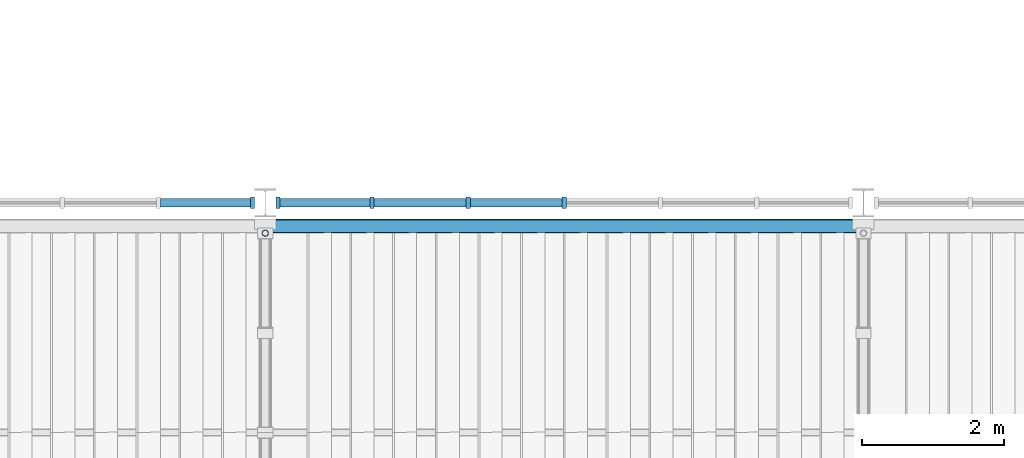
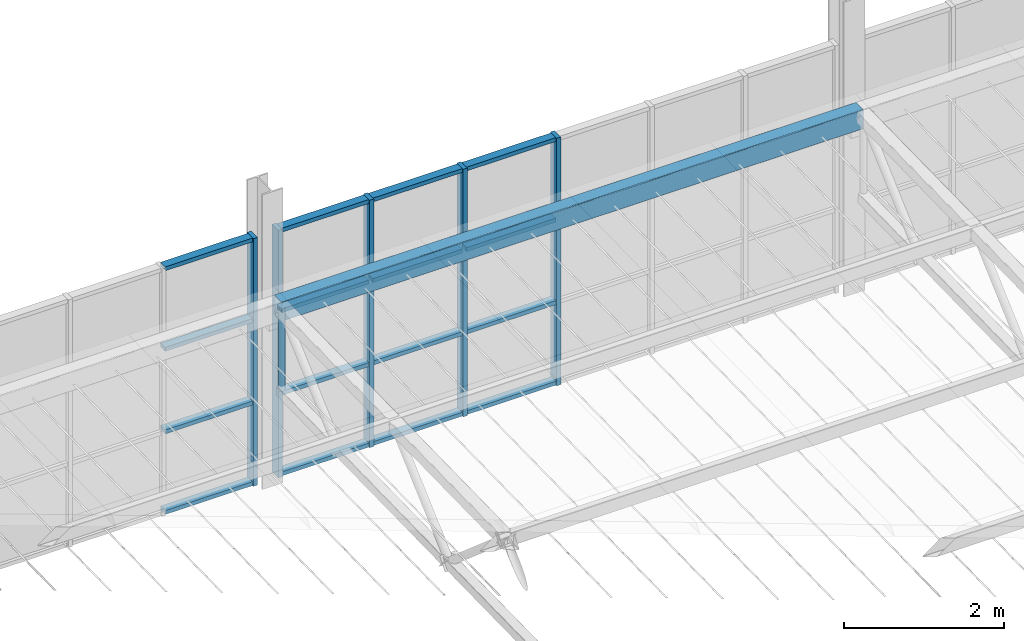
# One storey, part 22 of 129: 22 members, 1 beam, 2 elements without a shape of their own.
"""IFC4 building model written with IfcOpenShell, lengths in metres."""

from ifc_helpers import new_model, si_unit, direction, frame, origin, origin_2d, place, context, subcontext, project, spatial, rectangle, hollow_rectangle, hollow_circle, extrude, material, layer, layer_set, material_profile, profile_set, type_object, element, aggregate, save


model = new_model("IFC4")

# Units and contexts
model_context = context("Model", 3, precision=1e-05, world=origin(), true_north=direction((0.0, 1.0)))
body_context = subcontext(model_context, "Body", "Model", "MODEL_VIEW")
ifc_project = project(units=[si_unit("LENGTHUNIT", "METRE"), si_unit("AREAUNIT", "SQUARE_METRE"), si_unit("VOLUMEUNIT", "CUBIC_METRE"), si_unit("PLANEANGLEUNIT", "RADIAN"), si_unit("MASSUNIT", "GRAM", prefix="KILO")], contexts=[model_context])

# Site, building, storey
site_placement = place(None, origin())
site = spatial("IfcSite", under=ifc_project, at=site_placement, CompositionType="ELEMENT")
building_placement = place(site_placement, origin())
building = spatial("IfcBuilding", under=site, at=building_placement, Name="Ardhachandra Cancer Care Centre", CompositionType="ELEMENT")
storey_placement = place(building_placement, frame((0.0, 0.0, 4.5)))
storey = spatial("IfcBuildingStorey", under=building, at=storey_placement, Name="L01", CompositionType="ELEMENT", Elevation=4.5)

# Beam
ifc_material_1 = material(Name="Steel E350 (IS 2062)", Category="steel")
ifc_material_profile_1 = material_profile(ifc_material_1, hollow_rectangle(XDim=0.199951171875, YDim=0.300048828125, WallThickness=0.010009765625, InnerFilletRadius=0.010009765625, OuterFilletRadius=0.02001953125, at=origin_2d()), Name="RHS 300x200x10.0")
ifc_profile_set_1 = profile_set([ifc_material_profile_1], Name="Steel E350 (IS 2062)")
beam_type = type_object("IfcBeamType", Name="Canopy ring and eave beam RHS 300x200x10.0", PredefinedType="BEAM", material=ifc_profile_set_1)
beam_placement = place(storey_placement, frame((61.199951171875, 54.27490234375, 2.79541015625), z_axis=(1.0, 0.0, 0.0), x_axis=(0.0, 1.0, 0.0)))
element("IfcBeam", 1, at=beam_placement, inside=storey, type_object=beam_type, Name="Canopy eave beam 3", PredefinedType="BEAM", context=body_context, shape_type="SweptSolid", body=[
    extrude(hollow_rectangle(XDim=0.199951171875, YDim=0.300048828125, WallThickness=0.010009765625, InnerFilletRadius=0.010009765625, OuterFilletRadius=0.02001953125, at=origin_2d()), origin(), (0.0, 0.0, 1.0), 8.400146484375),
])

# Member
ifc_material_2 = material(Name="Steel E350 (IS 2062)", Category="steel")
ifc_material_profile_2 = material_profile(ifc_material_2, hollow_circle(Radius=0.04443359375, WallThickness=0.00390625, at=origin_2d()), Name="CHS 88.9x4.0")
ifc_profile_set_2 = profile_set([ifc_material_profile_2], Name="Steel E350 (IS 2062)")
member_type_1 = type_object("IfcMemberType", Name="Canopy truss post CHS 88.9x4.0", PredefinedType="POST", material=ifc_profile_set_2)
member_1_placement = place(storey_placement, frame((61.199951171875, 54.175048828125, 2.853515625), z_axis=(0.0, 0.0, -1.0), x_axis=(1.0, 0.0, 0.0)))
element("IfcMember", 2, at=member_1_placement, inside=storey, type_object=member_type_1, Name="Canopy truss 3 web vertical WV42", PredefinedType="POST", context=body_context, shape_type="SweptSolid", body=[
    extrude(hollow_circle(Radius=0.04443359375, WallThickness=0.00390625, at=origin_2d()), origin(), (0.0, 0.0, 1.0), 1.235107421875),
])

# Curtain wall, member
ifc_material_3 = material(Name="Aluminium extrusion", Category="aluminium")
ifc_layer = layer(ifc_material_3, 0.14990234375)
ifc_layer_set = layer_set([ifc_layer], Name="Aluminium extrusion")
curtain_wall_type = type_object("IfcCurtainWallType", Name="Curtain wall run", PredefinedType="NOTDEFINED", material=ifc_layer_set)
curtain_wall_1_placement = place(storey_placement, origin())
curtain_wall_1 = element("IfcCurtainWall", 3, at=curtain_wall_1_placement, inside=storey, type_object=curtain_wall_type, Name="Curtain wall L01 s/0052800_0054600", PredefinedType="NOTDEFINED")
ifc_material_4 = material(Name="Aluminium extrusion", Category="aluminium")
ifc_material_profile_3 = material_profile(ifc_material_4, rectangle(XDim=0.159912109375, YDim=0.06005859375, at=origin_2d()), Name="Curtain wall mullion 60 x 160")
ifc_profile_set_3 = profile_set([ifc_material_profile_3], Name="Aluminium extrusion")
member_type_2 = type_object("IfcMemberType", Name="Curtain wall mullion 60 x 160", PredefinedType="MULLION", material=ifc_profile_set_3)
member_2_placement = place(storey_placement, frame((61.02001953125, 54.60009765625, 0.0), z_axis=(0.0, 0.0, 1.0), x_axis=(0.0, 1.0, 0.0)))
member_2 = element("IfcMember", 4, at=member_2_placement, type_object=member_type_2, Name="CW mullion 7", PredefinedType="MULLION", context=body_context, shape_type="SweptSolid", body=[
    extrude(rectangle(XDim=0.159912109375, YDim=0.06005859375, at=origin_2d()), origin(), (0.0, 0.0, 1.0), 3.780517578125),
])

# Curtain wall, members
curtain_wall_2_placement = place(storey_placement, origin())
curtain_wall_2 = element("IfcCurtainWall", 5, at=curtain_wall_2_placement, inside=storey, type_object=curtain_wall_type, Name="Curtain wall L01 s/0061200_0054600", PredefinedType="NOTDEFINED")
member_3_placement = place(storey_placement, frame((61.3798828125, 54.60009765625, 0.0), z_axis=(0.0, 0.0, 1.0), x_axis=(0.0, 1.0, 0.0)))
member_3 = element("IfcMember", 6, at=member_3_placement, type_object=member_type_2, Name="CW mullion 1", PredefinedType="MULLION", context=body_context, shape_type="SweptSolid", body=[
    extrude(rectangle(XDim=0.159912109375, YDim=0.06005859375, at=origin_2d()), origin(), (0.0, 0.0, 1.0), 3.780517578125),
])
member_4_placement = place(storey_placement, frame((62.699951171875, 54.60009765625, 0.0), z_axis=(0.0, 0.0, 1.0), x_axis=(0.0, 1.0, 0.0)))
member_4 = element("IfcMember", 7, at=member_4_placement, type_object=member_type_2, Name="CW mullion 2", PredefinedType="MULLION", context=body_context, shape_type="SweptSolid", body=[
    extrude(rectangle(XDim=0.159912109375, YDim=0.06005859375, at=origin_2d()), origin(), (0.0, 0.0, 1.0), 3.780517578125),
])
member_5_placement = place(storey_placement, frame((64.050048828125, 54.60009765625, 0.0), z_axis=(0.0, 0.0, 1.0), x_axis=(0.0, 1.0, 0.0)))
member_5 = element("IfcMember", 8, at=member_5_placement, type_object=member_type_2, Name="CW mullion 3", PredefinedType="MULLION", context=body_context, shape_type="SweptSolid", body=[
    extrude(rectangle(XDim=0.159912109375, YDim=0.06005859375, at=origin_2d()), origin(), (0.0, 0.0, 1.0), 3.780517578125),
])
member_6_placement = place(storey_placement, frame((65.39990234375, 54.60009765625, 0.0), z_axis=(0.0, 0.0, 1.0), x_axis=(0.0, 1.0, 0.0)))
member_6 = element("IfcMember", 9, at=member_6_placement, type_object=member_type_2, Name="CW mullion 4", PredefinedType="MULLION", context=body_context, shape_type="SweptSolid", body=[
    extrude(rectangle(XDim=0.159912109375, YDim=0.06005859375, at=origin_2d()), origin(), (0.0, 0.0, 1.0), 3.780517578125),
])

# Member
ifc_material_5 = material(Name="Aluminium extrusion", Category="aluminium")
ifc_material_profile_4 = material_profile(ifc_material_5, rectangle(XDim=0.1201171875, YDim=0.06005859375, at=origin_2d()), Name="Curtain wall transom 60 x 120")
ifc_profile_set_4 = profile_set([ifc_material_profile_4], Name="Aluminium extrusion")
member_type_3 = type_object("IfcMemberType", Name="Curtain wall transom 60 x 120", PredefinedType="USERDEFINED", material=ifc_profile_set_4)
member_7_placement = place(storey_placement, frame((59.72998046875, 54.60009765625, 0.030029296875), z_axis=(1.0, 0.0, 0.0), x_axis=(0.0, 1.0, 0.0)))
member_7 = element("IfcMember", 10, at=member_7_placement, type_object=member_type_3, Name="CW transom 6.1", ObjectType="TRANSOM", PredefinedType="USERDEFINED", context=body_context, shape_type="SweptSolid", body=[
    extrude(rectangle(XDim=0.1201171875, YDim=0.06005859375, at=origin_2d()), origin(), (0.0, 0.0, 1.0), 1.260009765625),
])

member_8_placement = place(storey_placement, frame((59.72998046875, 54.60009765625, 1.26025390625), z_axis=(1.0, 0.0, 0.0), x_axis=(0.0, 1.0, 0.0)))
member_8 = element("IfcMember", 11, at=member_8_placement, type_object=member_type_3, Name="CW transom 6.2", ObjectType="TRANSOM", PredefinedType="USERDEFINED", context=body_context, shape_type="SweptSolid", body=[
    extrude(rectangle(XDim=0.1201171875, YDim=0.06005859375, at=origin_2d()), origin(), (0.0, 0.0, 1.0), 1.260009765625),
])

member_9_placement = place(storey_placement, frame((59.72998046875, 54.60009765625, 2.520263671875), z_axis=(1.0, 0.0, 0.0), x_axis=(0.0, 1.0, 0.0)))
member_9 = element("IfcMember", 12, at=member_9_placement, type_object=member_type_3, Name="CW transom 6.3", ObjectType="TRANSOM", PredefinedType="USERDEFINED", context=body_context, shape_type="SweptSolid", body=[
    extrude(rectangle(XDim=0.1201171875, YDim=0.06005859375, at=origin_2d()), origin(), (0.0, 0.0, 1.0), 1.260009765625),
])

member_10_placement = place(storey_placement, frame((59.72998046875, 54.60009765625, 3.75048828125), z_axis=(1.0, 0.0, 0.0), x_axis=(0.0, 1.0, 0.0)))
member_10 = element("IfcMember", 13, at=member_10_placement, type_object=member_type_3, Name="CW transom 6.4", ObjectType="TRANSOM", PredefinedType="USERDEFINED", context=body_context, shape_type="SweptSolid", body=[
    extrude(rectangle(XDim=0.1201171875, YDim=0.06005859375, at=origin_2d()), origin(), (0.0, 0.0, 1.0), 1.260009765625),
])

aggregate(curtain_wall_1, [member_2, member_7, member_8, member_9, member_10])

member_11_placement = place(storey_placement, frame((61.409912109375, 54.60009765625, 0.030029296875), z_axis=(1.0, 0.0, 0.0), x_axis=(0.0, 1.0, 0.0)))
member_11 = element("IfcMember", 14, at=member_11_placement, type_object=member_type_3, Name="CW transom 1.1", ObjectType="TRANSOM", PredefinedType="USERDEFINED", context=body_context, shape_type="SweptSolid", body=[
    extrude(rectangle(XDim=0.1201171875, YDim=0.06005859375, at=origin_2d()), origin(), (0.0, 0.0, 1.0), 1.260009765625),
])

member_12_placement = place(storey_placement, frame((61.409912109375, 54.60009765625, 1.26025390625), z_axis=(1.0, 0.0, 0.0), x_axis=(0.0, 1.0, 0.0)))
member_12 = element("IfcMember", 15, at=member_12_placement, type_object=member_type_3, Name="CW transom 1.2", ObjectType="TRANSOM", PredefinedType="USERDEFINED", context=body_context, shape_type="SweptSolid", body=[
    extrude(rectangle(XDim=0.1201171875, YDim=0.06005859375, at=origin_2d()), origin(), (0.0, 0.0, 1.0), 1.260009765625),
])

member_13_placement = place(storey_placement, frame((61.409912109375, 54.60009765625, 2.520263671875), z_axis=(1.0, 0.0, 0.0), x_axis=(0.0, 1.0, 0.0)))
member_13 = element("IfcMember", 16, at=member_13_placement, type_object=member_type_3, Name="CW transom 1.3", ObjectType="TRANSOM", PredefinedType="USERDEFINED", context=body_context, shape_type="SweptSolid", body=[
    extrude(rectangle(XDim=0.1201171875, YDim=0.06005859375, at=origin_2d()), origin(), (0.0, 0.0, 1.0), 1.260009765625),
])

member_14_placement = place(storey_placement, frame((61.409912109375, 54.60009765625, 3.75048828125), z_axis=(1.0, 0.0, 0.0), x_axis=(0.0, 1.0, 0.0)))
member_14 = element("IfcMember", 17, at=member_14_placement, type_object=member_type_3, Name="CW transom 1.4", ObjectType="TRANSOM", PredefinedType="USERDEFINED", context=body_context, shape_type="SweptSolid", body=[
    extrude(rectangle(XDim=0.1201171875, YDim=0.06005859375, at=origin_2d()), origin(), (0.0, 0.0, 1.0), 1.260009765625),
])

member_15_placement = place(storey_placement, frame((62.72998046875, 54.60009765625, 0.030029296875), z_axis=(1.0, 0.0, 0.0), x_axis=(0.0, 1.0, 0.0)))
member_15 = element("IfcMember", 18, at=member_15_placement, type_object=member_type_3, Name="CW transom 2.1", ObjectType="TRANSOM", PredefinedType="USERDEFINED", context=body_context, shape_type="SweptSolid", body=[
    extrude(rectangle(XDim=0.1201171875, YDim=0.06005859375, at=origin_2d()), origin(), (0.0, 0.0, 1.0), 1.2900390625),
])

member_16_placement = place(storey_placement, frame((62.72998046875, 54.60009765625, 1.26025390625), z_axis=(1.0, 0.0, 0.0), x_axis=(0.0, 1.0, 0.0)))
member_16 = element("IfcMember", 19, at=member_16_placement, type_object=member_type_3, Name="CW transom 2.2", ObjectType="TRANSOM", PredefinedType="USERDEFINED", context=body_context, shape_type="SweptSolid", body=[
    extrude(rectangle(XDim=0.1201171875, YDim=0.06005859375, at=origin_2d()), origin(), (0.0, 0.0, 1.0), 1.2900390625),
])

member_17_placement = place(storey_placement, frame((62.72998046875, 54.60009765625, 2.520263671875), z_axis=(1.0, 0.0, 0.0), x_axis=(0.0, 1.0, 0.0)))
member_17 = element("IfcMember", 20, at=member_17_placement, type_object=member_type_3, Name="CW transom 2.3", ObjectType="TRANSOM", PredefinedType="USERDEFINED", context=body_context, shape_type="SweptSolid", body=[
    extrude(rectangle(XDim=0.1201171875, YDim=0.06005859375, at=origin_2d()), origin(), (0.0, 0.0, 1.0), 1.2900390625),
])

member_18_placement = place(storey_placement, frame((62.72998046875, 54.60009765625, 3.75048828125), z_axis=(1.0, 0.0, 0.0), x_axis=(0.0, 1.0, 0.0)))
member_18 = element("IfcMember", 21, at=member_18_placement, type_object=member_type_3, Name="CW transom 2.4", ObjectType="TRANSOM", PredefinedType="USERDEFINED", context=body_context, shape_type="SweptSolid", body=[
    extrude(rectangle(XDim=0.1201171875, YDim=0.06005859375, at=origin_2d()), origin(), (0.0, 0.0, 1.0), 1.2900390625),
])

member_19_placement = place(storey_placement, frame((64.080078125, 54.60009765625, 0.030029296875), z_axis=(1.0, 0.0, 0.0), x_axis=(0.0, 1.0, 0.0)))
member_19 = element("IfcMember", 22, at=member_19_placement, type_object=member_type_3, Name="CW transom 3.1", ObjectType="TRANSOM", PredefinedType="USERDEFINED", context=body_context, shape_type="SweptSolid", body=[
    extrude(rectangle(XDim=0.1201171875, YDim=0.06005859375, at=origin_2d()), origin(), (0.0, 0.0, 1.0), 1.2900390625),
])

member_20_placement = place(storey_placement, frame((64.080078125, 54.60009765625, 1.26025390625), z_axis=(1.0, 0.0, 0.0), x_axis=(0.0, 1.0, 0.0)))
member_20 = element("IfcMember", 23, at=member_20_placement, type_object=member_type_3, Name="CW transom 3.2", ObjectType="TRANSOM", PredefinedType="USERDEFINED", context=body_context, shape_type="SweptSolid", body=[
    extrude(rectangle(XDim=0.1201171875, YDim=0.06005859375, at=origin_2d()), origin(), (0.0, 0.0, 1.0), 1.2900390625),
])

member_21_placement = place(storey_placement, frame((64.080078125, 54.60009765625, 2.520263671875), z_axis=(1.0, 0.0, 0.0), x_axis=(0.0, 1.0, 0.0)))
member_21 = element("IfcMember", 24, at=member_21_placement, type_object=member_type_3, Name="CW transom 3.3", ObjectType="TRANSOM", PredefinedType="USERDEFINED", context=body_context, shape_type="SweptSolid", body=[
    extrude(rectangle(XDim=0.1201171875, YDim=0.06005859375, at=origin_2d()), origin(), (0.0, 0.0, 1.0), 1.2900390625),
])

member_22_placement = place(storey_placement, frame((64.080078125, 54.60009765625, 3.75048828125), z_axis=(1.0, 0.0, 0.0), x_axis=(0.0, 1.0, 0.0)))
member_22 = element("IfcMember", 25, at=member_22_placement, type_object=member_type_3, Name="CW transom 3.4", ObjectType="TRANSOM", PredefinedType="USERDEFINED", context=body_context, shape_type="SweptSolid", body=[
    extrude(rectangle(XDim=0.1201171875, YDim=0.06005859375, at=origin_2d()), origin(), (0.0, 0.0, 1.0), 1.2900390625),
])

aggregate(curtain_wall_2, [member_3, member_4, member_5, member_6, member_11, member_12, member_13, member_14, member_15, member_16, member_17, member_18, member_19, member_20, member_21, member_22])

save(model, "model.ifc")
